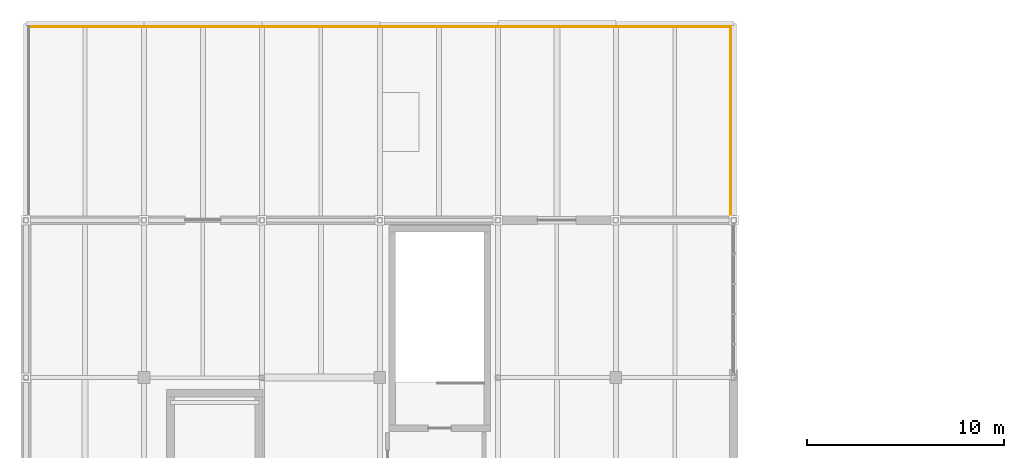
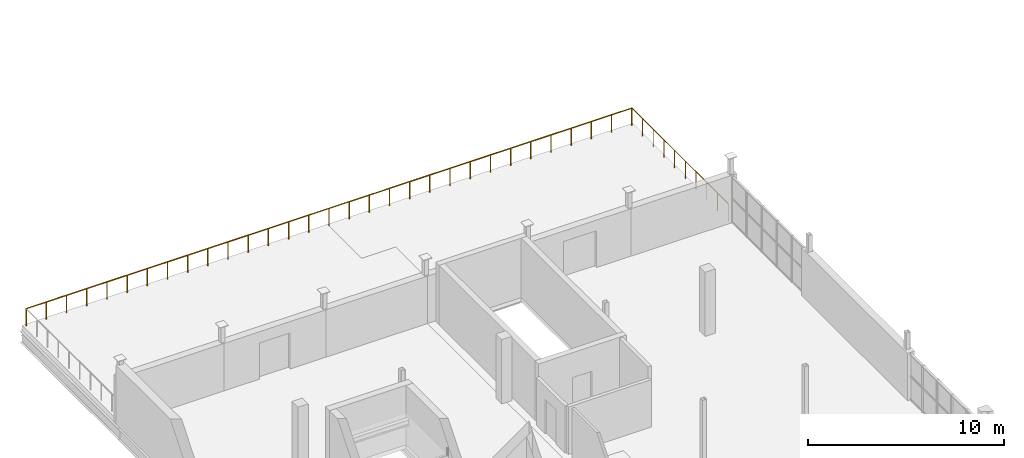
# One storey, part 35 of 35: 2 railings.
"""IFC4 building model written with IfcOpenShell, lengths in metres."""

from ifc_helpers import new_model, si_unit, direction, frame, origin, origin_2d, place, context, subcontext, project, spatial, circle, extrude, material, type_object, element, save


model = new_model("IFC4")

# Units and contexts
model_context = context("Model", 3, precision=1e-05, world=origin(), true_north=direction((0.0, 1.0)))
body_context = subcontext(model_context, "Body", "Model", "MODEL_VIEW")
ifc_project = project(units=[si_unit("LENGTHUNIT", "METRE"), si_unit("AREAUNIT", "SQUARE_METRE"), si_unit("VOLUMEUNIT", "CUBIC_METRE"), si_unit("PLANEANGLEUNIT", "RADIAN"), si_unit("MASSUNIT", "GRAM", prefix="KILO")], contexts=[model_context])

# Site, building, storey
site_placement = place(None, origin())
site = spatial("IfcSite", under=ifc_project, at=site_placement, CompositionType="ELEMENT")
building_placement = place(site_placement, origin())
building = spatial("IfcBuilding", under=site, at=building_placement, Name="Verrall Gate Interchange", CompositionType="ELEMENT")
storey_placement = place(building_placement, frame((0.0, 0.0, 15.39990234375)))
storey = spatial("IfcBuildingStorey", under=building, at=storey_placement, Name="L04", CompositionType="ELEMENT", Elevation=15.39990234375)

# Railings
ifc_material_1 = material(Name="Tyndall Dolomitic Limestone Ashlar Cavity Assembly (U=0.18)", Category="masonry")
railing_type_1 = type_object("IfcRailingType", Name="BL-01 Classical Stone Balustrade 1120", PredefinedType="BALUSTRADE", material=ifc_material_1)
railing_1_placement = place(storey_placement, frame((35.85009765625, 83.85009765625, 0.0)))
element("IfcRailing", 1, at=railing_1_placement, inside=storey, type_object=railing_type_1, Name="L04 Planted Roof Garden Guardrail 09", PredefinedType="BALUSTRADE", context=body_context, shape_type="SweptSolid", body=[
    extrude(circle(Radius=0.02392578125, at=origin_2d()), frame((0.0, 0.0, 1.09619140625), z_axis=(0.0, -1.0, 0.0), x_axis=(1.0, 0.0, 0.0)), (0.0, 0.0, 1.0), 9.85009765625),
    extrude(circle(Radius=0.02099609375, at=origin_2d()), origin(), (0.0, 0.0, 1.0), 1.072021484375),
    extrude(circle(Radius=0.02099609375, at=origin_2d()), frame((0.0, -1.094482421875, 0.0)), (0.0, 0.0, 1.0), 1.072021484375),
    extrude(circle(Radius=0.02099609375, at=origin_2d()), frame((0.0, -2.18896484375, 0.0)), (0.0, 0.0, 1.0), 1.072021484375),
    extrude(circle(Radius=0.02099609375, at=origin_2d()), frame((0.0, -3.283447265625, 0.0)), (0.0, 0.0, 1.0), 1.072021484375),
    extrude(circle(Radius=0.02099609375, at=origin_2d()), frame((0.0, -4.3779296875, 0.0)), (0.0, 0.0, 1.0), 1.072021484375),
    extrude(circle(Radius=0.02099609375, at=origin_2d()), frame((0.0, -5.47216796875, 0.0)), (0.0, 0.0, 1.0), 1.072021484375),
    extrude(circle(Radius=0.02099609375, at=origin_2d()), frame((0.0, -6.566650390625, 0.0)), (0.0, 0.0, 1.0), 1.072021484375),
    extrude(circle(Radius=0.02099609375, at=origin_2d()), frame((0.0, -7.6611328125, 0.0)), (0.0, 0.0, 1.0), 1.072021484375),
    extrude(circle(Radius=0.02099609375, at=origin_2d()), frame((0.0, -8.755615234375, 0.0)), (0.0, 0.0, 1.0), 1.072021484375),
    extrude(circle(Radius=0.02099609375, at=origin_2d()), frame((0.0, -9.85009765625, 0.0)), (0.0, 0.0, 1.0), 1.072021484375),
])
ifc_material_2 = material(Name="Architectural Bronze Anodized Aluminium Guardrail Assembly", Category="aluminium")
railing_type_2 = type_object("IfcRailingType", Name="GR-01 Roof Terrace Guardrail 1100", PredefinedType="GUARDRAIL", material=ifc_material_2)
railing_2_placement = place(storey_placement, frame((0.14990234375, 83.85009765625, 0.0)))
element("IfcRailing", 2, at=railing_2_placement, inside=storey, type_object=railing_type_2, Name="L04 Planted Roof Garden Guardrail 08", PredefinedType="GUARDRAIL", context=body_context, shape_type="SweptSolid", body=[
    extrude(circle(Radius=0.02392578125, at=origin_2d()), frame((0.0, 0.0, 1.076171875), z_axis=(1.0, 0.0, 0.0), x_axis=(0.0, 1.0, 0.0)), (0.0, 0.0, 1.0), 35.7001953125),
    extrude(circle(Radius=0.02099609375, at=origin_2d()), origin(), (0.0, 0.0, 1.0), 1.052001953125),
    extrude(circle(Radius=0.02099609375, at=origin_2d()), frame((1.18994140625, 0.0, 0.0)), (0.0, 0.0, 1.0), 1.052001953125),
    extrude(circle(Radius=0.02099609375, at=origin_2d()), frame((2.380126953125, 0.0, 0.0)), (0.0, 0.0, 1.0), 1.052001953125),
    extrude(circle(Radius=0.02099609375, at=origin_2d()), frame((3.570068359375, 0.0, 0.0)), (0.0, 0.0, 1.0), 1.052001953125),
    extrude(circle(Radius=0.02099609375, at=origin_2d()), frame((4.760009765625, 0.0, 0.0)), (0.0, 0.0, 1.0), 1.052001953125),
    extrude(circle(Radius=0.02099609375, at=origin_2d()), frame((5.949951171875, 0.0, 0.0)), (0.0, 0.0, 1.0), 1.052001953125),
    extrude(circle(Radius=0.02099609375, at=origin_2d()), frame((7.14013671875, 0.0, 0.0)), (0.0, 0.0, 1.0), 1.052001953125),
    extrude(circle(Radius=0.02099609375, at=origin_2d()), frame((8.330078125, 0.0, 0.0)), (0.0, 0.0, 1.0), 1.052001953125),
    extrude(circle(Radius=0.02099609375, at=origin_2d()), frame((9.52001953125, 0.0, 0.0)), (0.0, 0.0, 1.0), 1.052001953125),
    extrude(circle(Radius=0.02099609375, at=origin_2d()), frame((10.7099609375, 0.0, 0.0)), (0.0, 0.0, 1.0), 1.052001953125),
    extrude(circle(Radius=0.02099609375, at=origin_2d()), frame((11.900146484375, 0.0, 0.0)), (0.0, 0.0, 1.0), 1.052001953125),
    extrude(circle(Radius=0.02099609375, at=origin_2d()), frame((13.090087890625, 0.0, 0.0)), (0.0, 0.0, 1.0), 1.052001953125),
    extrude(circle(Radius=0.02099609375, at=origin_2d()), frame((14.280029296875, 0.0, 0.0)), (0.0, 0.0, 1.0), 1.052001953125),
    extrude(circle(Radius=0.02099609375, at=origin_2d()), frame((15.469970703125, 0.0, 0.0)), (0.0, 0.0, 1.0), 1.052001953125),
    extrude(circle(Radius=0.02099609375, at=origin_2d()), frame((16.66015625, 0.0, 0.0)), (0.0, 0.0, 1.0), 1.052001953125),
    extrude(circle(Radius=0.02099609375, at=origin_2d()), frame((17.85009765625, 0.0, 0.0)), (0.0, 0.0, 1.0), 1.052001953125),
    extrude(circle(Radius=0.02099609375, at=origin_2d()), frame((19.0400390625, 0.0, 0.0)), (0.0, 0.0, 1.0), 1.052001953125),
    extrude(circle(Radius=0.02099609375, at=origin_2d()), frame((20.230224609375, 0.0, 0.0)), (0.0, 0.0, 1.0), 1.052001953125),
    extrude(circle(Radius=0.02099609375, at=origin_2d()), frame((21.420166015625, 0.0, 0.0)), (0.0, 0.0, 1.0), 1.052001953125),
    extrude(circle(Radius=0.02099609375, at=origin_2d()), frame((22.610107421875, 0.0, 0.0)), (0.0, 0.0, 1.0), 1.052001953125),
    extrude(circle(Radius=0.02099609375, at=origin_2d()), frame((23.800048828125, 0.0, 0.0)), (0.0, 0.0, 1.0), 1.052001953125),
    extrude(circle(Radius=0.02099609375, at=origin_2d()), frame((24.990234375, 0.0, 0.0)), (0.0, 0.0, 1.0), 1.052001953125),
    extrude(circle(Radius=0.02099609375, at=origin_2d()), frame((26.18017578125, 0.0, 0.0)), (0.0, 0.0, 1.0), 1.052001953125),
    extrude(circle(Radius=0.02099609375, at=origin_2d()), frame((27.3701171875, 0.0, 0.0)), (0.0, 0.0, 1.0), 1.052001953125),
    extrude(circle(Radius=0.02099609375, at=origin_2d()), frame((28.56005859375, 0.0, 0.0)), (0.0, 0.0, 1.0), 1.052001953125),
    extrude(circle(Radius=0.02099609375, at=origin_2d()), frame((29.750244140625, 0.0, 0.0)), (0.0, 0.0, 1.0), 1.052001953125),
    extrude(circle(Radius=0.02099609375, at=origin_2d()), frame((30.940185546875, 0.0, 0.0)), (0.0, 0.0, 1.0), 1.052001953125),
    extrude(circle(Radius=0.02099609375, at=origin_2d()), frame((32.130126953125, 0.0, 0.0)), (0.0, 0.0, 1.0), 1.052001953125),
    extrude(circle(Radius=0.02099609375, at=origin_2d()), frame((33.320068359375, 0.0, 0.0)), (0.0, 0.0, 1.0), 1.052001953125),
    extrude(circle(Radius=0.02099609375, at=origin_2d()), frame((34.51025390625, 0.0, 0.0)), (0.0, 0.0, 1.0), 1.052001953125),
    extrude(circle(Radius=0.02099609375, at=origin_2d()), frame((35.7001953125, 0.0, 0.0)), (0.0, 0.0, 1.0), 1.052001953125),
])

save(model, "model.ifc")
